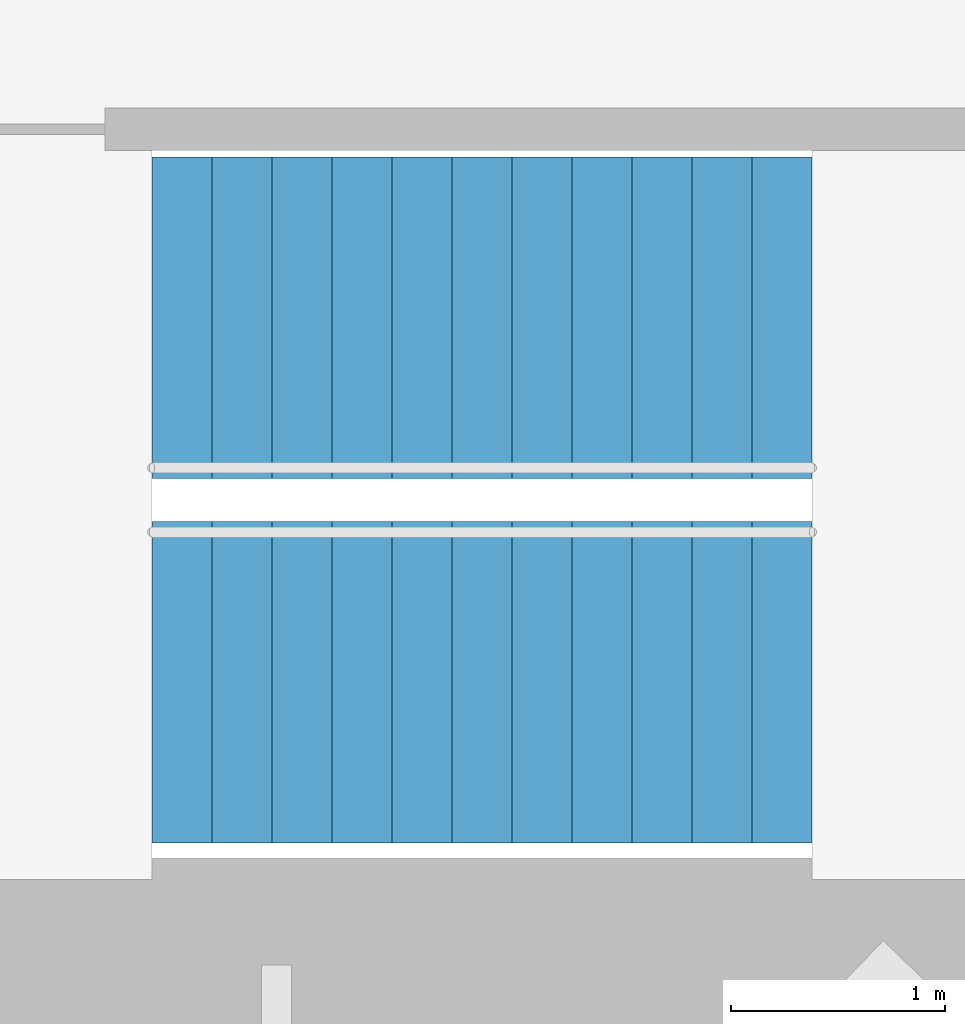
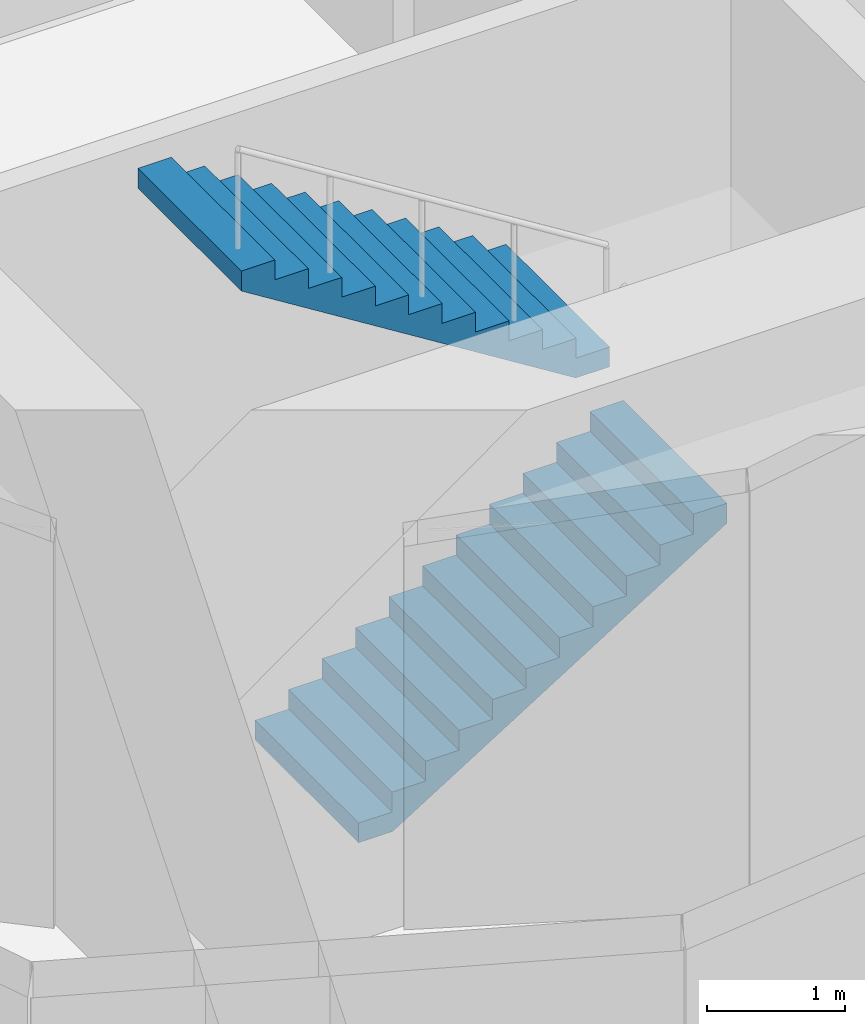
# One storey, part 15 of 17: 2 stair flights, 1 element without a shape of its own.
"""IFC4 building model written with IfcOpenShell, lengths in metres."""

from ifc_helpers import new_model, si_unit, direction, frame, origin, place, context, subcontext, project, spatial, triangles, material, type_object, element, aggregate, save


model = new_model("IFC4")

# Units and contexts
model_context = context("Model", 3, precision=1e-05, world=origin(), true_north=direction((0.0, 1.0)))
body_context = subcontext(model_context, "Body", "Model", "MODEL_VIEW")
ifc_project = project(units=[si_unit("LENGTHUNIT", "METRE"), si_unit("AREAUNIT", "SQUARE_METRE"), si_unit("VOLUMEUNIT", "CUBIC_METRE"), si_unit("PLANEANGLEUNIT", "RADIAN"), si_unit("MASSUNIT", "GRAM", prefix="KILO")], contexts=[model_context])

# Site, building, storey
site_placement = place(None, origin())
site = spatial("IfcSite", under=ifc_project, at=site_placement, CompositionType="ELEMENT")
building_placement = place(site_placement, origin())
building = spatial("IfcBuilding", under=site, at=building_placement, Name="Lantaw Convention Tower", CompositionType="ELEMENT")
storey_placement = place(building_placement, frame((0.0, 0.0, 224.199951171875)))
storey = spatial("IfcBuildingStorey", under=building, at=storey_placement, Name="L52", CompositionType="ELEMENT", Elevation=224.199951171875)

# Stair, stair flights
ifc_material = material(Name="Concrete C35/45", Category="concrete")
stair_type = type_object("IfcStairType", Name="Exit stair 1500 riser 175 in 2 flights", PredefinedType="HALF_TURN_STAIR", material=ifc_material)
stair_placement = place(storey_placement, origin())
stair = element("IfcStair", 1, at=stair_placement, inside=storey, type_object=stair_type, Name="Exit stair S1 L52", PredefinedType="HALF_TURN_STAIR")
stair_flight_type = type_object("IfcStairFlightType", Name="Stair flight 1500 riser 175", PredefinedType="STRAIGHT", material=ifc_material)
stair_flight_1_placement = place(storey_placement, frame((-10.580078125, -5.97998046875, 0.0), z_axis=(0.0, 0.0, 1.0), x_axis=(1.0, 0.0, 0.0)))
stair_flight_1 = element("IfcStairFlight", 2, at=stair_flight_1_placement, type_object=stair_flight_type, Name="S1 flight 1", NumberOfRisers=12, NumberOfTreads=11, PredefinedType="STRAIGHT", RiserHeight=0.175, TreadLength=0.28, context=body_context, shape_type="Tessellation", body=[
    triangles([(0.0, 0.75, 0.0), (0.0, 0.75, 0.175), (0.28, 0.75, 0.0), (0.28, 0.75, 0.175), (0.28, 0.75, 0.35), (0.28283517651771284, 0.75, 0.0), (0.28283517651771284, 0.75, 0.35), (0.56, 0.75, 0.17322801467642948), (0.56, 0.75, 0.35), (0.56, 0.75, 0.5249999999999999), (0.8400000000000001, 0.75, 0.34822801467642944), (0.8400000000000001, 0.75, 0.5249999999999999), (0.8400000000000001, 0.75, 0.7), (1.12, 0.75, 0.5232280146764294), (1.12, 0.75, 0.7), (1.12, 0.75, 0.875), (1.4000000000000001, 0.75, 0.6982280146764295), (1.4000000000000001, 0.75, 0.875), (1.4000000000000001, 0.75, 1.0499999999999998), (1.6800000000000002, 0.75, 0.8732280146764294), (1.6800000000000002, 0.75, 1.0499999999999998), (1.6800000000000002, 0.75, 1.2249999999999999), (1.9600000000000002, 0.75, 1.0482280146764293), (1.9600000000000002, 0.75, 1.2249999999999999), (1.9600000000000002, 0.75, 1.4), (2.24, 0.75, 1.2232280146764294), (2.24, 0.75, 1.4), (2.24, 0.75, 1.575), (2.5200000000000005, 0.75, 1.3982280146764294), (2.5200000000000005, 0.75, 1.575), (2.5200000000000005, 0.75, 1.75), (2.8000000000000003, 0.75, 1.5732280146764293), (2.8000000000000003, 0.75, 1.75), (2.8000000000000003, 0.75, 1.9249999999999998), (3.08, 0.75, 1.7482280146764293), (3.08, 0.75, 1.9249999999999998), (0.0, -0.75, 0.0), (0.0, -0.75, 0.175), (0.28, -0.75, 0.0), (0.28, -0.75, 0.175), (0.28, -0.75, 0.35), (0.28283517651771284, -0.75, 0.0), (0.28283517651771284, -0.75, 0.35), (0.56, -0.75, 0.17322801467642948), (0.56, -0.75, 0.35), (0.56, -0.75, 0.5249999999999999), (0.8400000000000001, -0.75, 0.34822801467642944), (0.8400000000000001, -0.75, 0.5249999999999999), (0.8400000000000001, -0.75, 0.7), (1.12, -0.75, 0.5232280146764294), (1.12, -0.75, 0.7), (1.12, -0.75, 0.875), (1.4000000000000001, -0.75, 0.6982280146764295), (1.4000000000000001, -0.75, 0.875), (1.4000000000000001, -0.75, 1.0499999999999998), (1.6800000000000002, -0.75, 0.8732280146764294), (1.6800000000000002, -0.75, 1.0499999999999998), (1.6800000000000002, -0.75, 1.2249999999999999), (1.9600000000000002, -0.75, 1.0482280146764293), (1.9600000000000002, -0.75, 1.2249999999999999), (1.9600000000000002, -0.75, 1.4), (2.24, -0.75, 1.2232280146764294), (2.24, -0.75, 1.4), (2.24, -0.75, 1.575), (2.5200000000000005, -0.75, 1.3982280146764294), (2.5200000000000005, -0.75, 1.575), (2.5200000000000005, -0.75, 1.75), (2.8000000000000003, -0.75, 1.5732280146764293), (2.8000000000000003, -0.75, 1.75), (2.8000000000000003, -0.75, 1.9249999999999998), (3.08, -0.75, 1.7482280146764293), (3.08, -0.75, 1.9249999999999998), (0.0, 0.15000000000000002, 0.175), (0.0, 0.15000000000000002, 0.0), (0.0, 0.0, 0.175), (0.0, 0.0, 0.0), (0.0, -0.15000000000000002, 0.175), (0.0, -0.15000000000000002, 0.0), (0.28, 0.15000000000000002, 0.35), (0.28, 0.15000000000000002, 0.175), (0.28, 0.0, 0.35), (0.28, 0.0, 0.175), (0.28, -0.15000000000000002, 0.35), (0.28, -0.15000000000000002, 0.175), (0.56, 0.15000000000000002, 0.5249999999999999), (0.56, 0.15000000000000002, 0.35), (0.56, 0.0, 0.5249999999999999), (0.56, 0.0, 0.35), (0.56, -0.15000000000000002, 0.5249999999999999), (0.56, -0.15000000000000002, 0.35), (0.8400000000000001, 0.15000000000000002, 0.7), (0.8400000000000001, 0.15000000000000002, 0.5249999999999999), (0.8400000000000001, 0.0, 0.7), (0.8400000000000001, 0.0, 0.5249999999999999), (0.8400000000000001, -0.15000000000000002, 0.7), (0.8400000000000001, -0.15000000000000002, 0.5249999999999999), (1.12, 0.15000000000000002, 0.875), (1.12, 0.15000000000000002, 0.7), (1.12, 0.0, 0.875), (1.12, 0.0, 0.7), (1.12, -0.15000000000000002, 0.875), (1.12, -0.15000000000000002, 0.7), (1.4000000000000001, 0.15000000000000002, 1.0499999999999998), (1.4000000000000001, 0.15000000000000002, 0.875), (1.4000000000000001, 0.0, 1.0499999999999998), (1.4000000000000001, 0.0, 0.875), (1.4000000000000001, -0.15000000000000002, 1.0499999999999998), (1.4000000000000001, -0.15000000000000002, 0.875), (1.6800000000000002, 0.15000000000000002, 1.2249999999999999), (1.6800000000000002, 0.15000000000000002, 1.0499999999999998), (1.6800000000000002, 0.0, 1.2249999999999999), (1.6800000000000002, 0.0, 1.0499999999999998), (1.6800000000000002, -0.15000000000000002, 1.2249999999999999), (1.6800000000000002, -0.15000000000000002, 1.0499999999999998), (1.9600000000000002, 0.15000000000000002, 1.4), (1.9600000000000002, 0.15000000000000002, 1.2249999999999999), (1.9600000000000002, 0.0, 1.4), (1.9600000000000002, 0.0, 1.2249999999999999), (1.9600000000000002, -0.15000000000000002, 1.4), (1.9600000000000002, -0.15000000000000002, 1.2249999999999999), (2.24, 0.15000000000000002, 1.575), (2.24, 0.15000000000000002, 1.4), (2.24, 0.0, 1.575), (2.24, 0.0, 1.4), (2.24, -0.15000000000000002, 1.575), (2.24, -0.15000000000000002, 1.4), (2.5200000000000005, 0.15000000000000002, 1.75), (2.5200000000000005, 0.15000000000000002, 1.575), (2.5200000000000005, 0.0, 1.75), (2.5200000000000005, 0.0, 1.575), (2.5200000000000005, -0.15000000000000002, 1.75), (2.5200000000000005, -0.15000000000000002, 1.575), (2.8000000000000003, 0.15000000000000002, 1.9249999999999998), (2.8000000000000003, 0.15000000000000002, 1.75), (2.8000000000000003, 0.0, 1.9249999999999998), (2.8000000000000003, 0.0, 1.75), (2.8000000000000003, -0.15000000000000002, 1.9249999999999998), (2.8000000000000003, -0.15000000000000002, 1.75), (0.28283517651771284, 0.15000000000000002, 0.35), (0.28283517651771284, 0.0, 0.35), (0.28283517651771284, -0.15000000000000002, 0.35), (3.08, 0.15000000000000002, 1.9249999999999998), (3.08, 0.0, 1.9249999999999998), (3.08, -0.15000000000000002, 1.9249999999999998), (3.08, 0.15000000000000002, 1.7482280146764293), (3.08, 0.0, 1.7482280146764293), (3.08, -0.15000000000000002, 1.7482280146764293), (2.8000000000000003, 0.15000000000000002, 1.5732280146764293), (2.8000000000000003, 0.0, 1.5732280146764293), (2.8000000000000003, -0.15000000000000002, 1.5732280146764293), (2.5200000000000005, 0.15000000000000002, 1.3982280146764294), (2.5200000000000005, 0.0, 1.3982280146764294), (2.5200000000000005, -0.15000000000000002, 1.3982280146764294), (2.24, 0.15000000000000002, 1.2232280146764294), (2.24, 0.0, 1.2232280146764294), (2.24, -0.15000000000000002, 1.2232280146764294), (1.9600000000000002, 0.15000000000000002, 1.0482280146764293), (1.9600000000000002, 0.0, 1.0482280146764293), (1.9600000000000002, -0.15000000000000002, 1.0482280146764293), (1.6800000000000002, 0.15000000000000002, 0.8732280146764294), (1.6800000000000002, 0.0, 0.8732280146764294), (1.6800000000000002, -0.15000000000000002, 0.8732280146764294), (1.4000000000000001, 0.15000000000000002, 0.6982280146764295), (1.4000000000000001, 0.0, 0.6982280146764295), (1.4000000000000001, -0.15000000000000002, 0.6982280146764295), (1.12, 0.15000000000000002, 0.5232280146764294), (1.12, 0.0, 0.5232280146764294), (1.12, -0.15000000000000002, 0.5232280146764294), (0.8400000000000001, 0.15000000000000002, 0.34822801467642944), (0.8400000000000001, 0.0, 0.34822801467642944), (0.8400000000000001, -0.15000000000000002, 0.34822801467642944), (0.56, 0.15000000000000002, 0.17322801467642948), (0.56, 0.0, 0.17322801467642948), (0.56, -0.15000000000000002, 0.17322801467642948), (0.28283517651771284, 0.15000000000000002, 0.0), (0.28283517651771284, 0.0, 0.0), (0.28283517651771284, -0.15000000000000002, 0.0), (0.28, 0.15000000000000002, 0.0), (0.28, 0.0, 0.0), (0.28, -0.15000000000000002, 0.0)], [[1, 4, 3], [1, 2, 4], [3, 4, 6], [4, 7, 6], [4, 5, 7], [6, 9, 8], [6, 7, 9], [8, 9, 11], [9, 12, 11], [9, 10, 12], [11, 12, 14], [12, 15, 14], [12, 13, 15], [14, 15, 17], [15, 18, 17], [15, 16, 18], [17, 18, 20], [18, 21, 20], [18, 19, 21], [20, 21, 23], [21, 24, 23], [21, 22, 24], [23, 24, 26], [24, 27, 26], [24, 25, 27], [26, 27, 29], [27, 30, 29], [27, 28, 30], [29, 30, 32], [30, 33, 32], [30, 31, 33], [32, 33, 35], [33, 36, 35], [33, 34, 36], [37, 39, 40], [37, 40, 38], [39, 42, 40], [40, 42, 43], [40, 43, 41], [42, 44, 45], [42, 45, 43], [44, 47, 45], [45, 47, 48], [45, 48, 46], [47, 50, 48], [48, 50, 51], [48, 51, 49], [50, 53, 51], [51, 53, 54], [51, 54, 52], [53, 56, 54], [54, 56, 57], [54, 57, 55], [56, 59, 57], [57, 59, 60], [57, 60, 58], [59, 62, 60], [60, 62, 63], [60, 63, 61], [62, 65, 63], [63, 65, 66], [63, 66, 64], [65, 68, 66], [66, 68, 69], [66, 69, 67], [68, 71, 69], [69, 71, 72], [69, 72, 70], [1, 73, 2], [1, 74, 73], [74, 75, 73], [74, 76, 75], [76, 77, 75], [76, 78, 77], [78, 38, 77], [78, 37, 38], [4, 79, 5], [4, 80, 79], [80, 81, 79], [80, 82, 81], [82, 83, 81], [82, 84, 83], [84, 41, 83], [84, 40, 41], [9, 85, 10], [9, 86, 85], [86, 87, 85], [86, 88, 87], [88, 89, 87], [88, 90, 89], [90, 46, 89], [90, 45, 46], [12, 91, 13], [12, 92, 91], [92, 93, 91], [92, 94, 93], [94, 95, 93], [94, 96, 95], [96, 49, 95], [96, 48, 49], [15, 97, 16], [15, 98, 97], [98, 99, 97], [98, 100, 99], [100, 101, 99], [100, 102, 101], [102, 52, 101], [102, 51, 52], [18, 103, 19], [18, 104, 103], [104, 105, 103], [104, 106, 105], [106, 107, 105], [106, 108, 107], [108, 55, 107], [108, 54, 55], [21, 109, 22], [21, 110, 109], [110, 111, 109], [110, 112, 111], [112, 113, 111], [112, 114, 113], [114, 58, 113], [114, 57, 58], [24, 115, 25], [24, 116, 115], [116, 117, 115], [116, 118, 117], [118, 119, 117], [118, 120, 119], [120, 61, 119], [120, 60, 61], [27, 121, 28], [27, 122, 121], [122, 123, 121], [122, 124, 123], [124, 125, 123], [124, 126, 125], [126, 64, 125], [126, 63, 64], [30, 127, 31], [30, 128, 127], [128, 129, 127], [128, 130, 129], [130, 131, 129], [130, 132, 131], [132, 67, 131], [132, 66, 67], [33, 133, 34], [33, 134, 133], [134, 135, 133], [134, 136, 135], [136, 137, 135], [136, 138, 137], [138, 70, 137], [138, 69, 70], [2, 80, 4], [2, 73, 80], [73, 82, 80], [73, 75, 82], [75, 84, 82], [75, 77, 84], [77, 40, 84], [77, 38, 40], [5, 139, 7], [5, 79, 139], [79, 140, 139], [79, 81, 140], [81, 141, 140], [81, 83, 141], [83, 43, 141], [83, 41, 43], [7, 86, 9], [7, 139, 86], [139, 88, 86], [139, 140, 88], [140, 90, 88], [140, 141, 90], [141, 45, 90], [141, 43, 45], [10, 92, 12], [10, 85, 92], [85, 94, 92], [85, 87, 94], [87, 96, 94], [87, 89, 96], [89, 48, 96], [89, 46, 48], [13, 98, 15], [13, 91, 98], [91, 100, 98], [91, 93, 100], [93, 102, 100], [93, 95, 102], [95, 51, 102], [95, 49, 51], [16, 104, 18], [16, 97, 104], [97, 106, 104], [97, 99, 106], [99, 108, 106], [99, 101, 108], [101, 54, 108], [101, 52, 54], [19, 110, 21], [19, 103, 110], [103, 112, 110], [103, 105, 112], [105, 114, 112], [105, 107, 114], [107, 57, 114], [107, 55, 57], [22, 116, 24], [22, 109, 116], [109, 118, 116], [109, 111, 118], [111, 120, 118], [111, 113, 120], [113, 60, 120], [113, 58, 60], [25, 122, 27], [25, 115, 122], [115, 124, 122], [115, 117, 124], [117, 126, 124], [117, 119, 126], [119, 63, 126], [119, 61, 63], [28, 128, 30], [28, 121, 128], [121, 130, 128], [121, 123, 130], [123, 132, 130], [123, 125, 132], [125, 66, 132], [125, 64, 66], [31, 134, 33], [31, 127, 134], [127, 136, 134], [127, 129, 136], [129, 138, 136], [129, 131, 138], [131, 69, 138], [131, 67, 69], [34, 142, 36], [34, 133, 142], [133, 143, 142], [133, 135, 143], [135, 144, 143], [135, 137, 144], [137, 72, 144], [137, 70, 72], [36, 145, 35], [36, 142, 145], [142, 146, 145], [142, 143, 146], [143, 147, 146], [143, 144, 147], [144, 71, 147], [144, 72, 71], [35, 148, 32], [35, 145, 148], [145, 149, 148], [145, 146, 149], [146, 150, 149], [146, 147, 150], [147, 68, 150], [147, 71, 68], [32, 151, 29], [32, 148, 151], [148, 152, 151], [148, 149, 152], [149, 153, 152], [149, 150, 153], [150, 65, 153], [150, 68, 65], [29, 154, 26], [29, 151, 154], [151, 155, 154], [151, 152, 155], [152, 156, 155], [152, 153, 156], [153, 62, 156], [153, 65, 62], [26, 157, 23], [26, 154, 157], [154, 158, 157], [154, 155, 158], [155, 159, 158], [155, 156, 159], [156, 59, 159], [156, 62, 59], [23, 160, 20], [23, 157, 160], [157, 161, 160], [157, 158, 161], [158, 162, 161], [158, 159, 162], [159, 56, 162], [159, 59, 56], [20, 163, 17], [20, 160, 163], [160, 164, 163], [160, 161, 164], [161, 165, 164], [161, 162, 165], [162, 53, 165], [162, 56, 53], [17, 166, 14], [17, 163, 166], [163, 167, 166], [163, 164, 167], [164, 168, 167], [164, 165, 168], [165, 50, 168], [165, 53, 50], [14, 169, 11], [14, 166, 169], [166, 170, 169], [166, 167, 170], [167, 171, 170], [167, 168, 171], [168, 47, 171], [168, 50, 47], [11, 172, 8], [11, 169, 172], [169, 173, 172], [169, 170, 173], [170, 174, 173], [170, 171, 174], [171, 44, 174], [171, 47, 44], [8, 175, 6], [8, 172, 175], [172, 176, 175], [172, 173, 176], [173, 177, 176], [173, 174, 177], [174, 42, 177], [174, 44, 42], [6, 178, 3], [6, 175, 178], [175, 179, 178], [175, 176, 179], [176, 180, 179], [176, 177, 180], [177, 39, 180], [177, 42, 39], [3, 74, 1], [3, 178, 74], [178, 76, 74], [178, 179, 76], [179, 78, 76], [179, 180, 78], [180, 37, 78], [180, 39, 37]], closed=True),
])
stair_flight_2_placement = place(storey_placement, frame((-7.5, -4.280029296875, 2.10009765625), z_axis=(0.0, 0.0, 1.0), x_axis=(-1.0, 0.0, 0.0)))
stair_flight_2 = element("IfcStairFlight", 3, at=stair_flight_2_placement, type_object=stair_flight_type, Name="S1 flight 2", NumberOfRisers=12, NumberOfTreads=11, PredefinedType="STRAIGHT", RiserHeight=0.175, TreadLength=0.28, context=body_context, shape_type="Tessellation", body=[
    triangles([(0.0, 0.75, 0.0), (0.0, 0.75, 0.175), (0.28, 0.75, 0.0), (0.28, 0.75, 0.175), (0.28, 0.75, 0.35), (0.28283517651771284, 0.75, 0.0), (0.28283517651771284, 0.75, 0.35), (0.56, 0.75, 0.17322801467642948), (0.56, 0.75, 0.35), (0.56, 0.75, 0.5249999999999999), (0.8400000000000001, 0.75, 0.34822801467642944), (0.8400000000000001, 0.75, 0.5249999999999999), (0.8400000000000001, 0.75, 0.7), (1.12, 0.75, 0.5232280146764294), (1.12, 0.75, 0.7), (1.12, 0.75, 0.875), (1.4000000000000001, 0.75, 0.6982280146764295), (1.4000000000000001, 0.75, 0.875), (1.4000000000000001, 0.75, 1.0499999999999998), (1.6800000000000002, 0.75, 0.8732280146764294), (1.6800000000000002, 0.75, 1.0499999999999998), (1.6800000000000002, 0.75, 1.2249999999999999), (1.9600000000000002, 0.75, 1.0482280146764293), (1.9600000000000002, 0.75, 1.2249999999999999), (1.9600000000000002, 0.75, 1.4), (2.24, 0.75, 1.2232280146764294), (2.24, 0.75, 1.4), (2.24, 0.75, 1.575), (2.5200000000000005, 0.75, 1.3982280146764294), (2.5200000000000005, 0.75, 1.575), (2.5200000000000005, 0.75, 1.75), (2.8000000000000003, 0.75, 1.5732280146764293), (2.8000000000000003, 0.75, 1.75), (2.8000000000000003, 0.75, 1.9249999999999998), (3.08, 0.75, 1.7482280146764293), (3.08, 0.75, 1.9249999999999998), (0.0, -0.75, 0.0), (0.0, -0.75, 0.175), (0.28, -0.75, 0.0), (0.28, -0.75, 0.175), (0.28, -0.75, 0.35), (0.28283517651771284, -0.75, 0.0), (0.28283517651771284, -0.75, 0.35), (0.56, -0.75, 0.17322801467642948), (0.56, -0.75, 0.35), (0.56, -0.75, 0.5249999999999999), (0.8400000000000001, -0.75, 0.34822801467642944), (0.8400000000000001, -0.75, 0.5249999999999999), (0.8400000000000001, -0.75, 0.7), (1.12, -0.75, 0.5232280146764294), (1.12, -0.75, 0.7), (1.12, -0.75, 0.875), (1.4000000000000001, -0.75, 0.6982280146764295), (1.4000000000000001, -0.75, 0.875), (1.4000000000000001, -0.75, 1.0499999999999998), (1.6800000000000002, -0.75, 0.8732280146764294), (1.6800000000000002, -0.75, 1.0499999999999998), (1.6800000000000002, -0.75, 1.2249999999999999), (1.9600000000000002, -0.75, 1.0482280146764293), (1.9600000000000002, -0.75, 1.2249999999999999), (1.9600000000000002, -0.75, 1.4), (2.24, -0.75, 1.2232280146764294), (2.24, -0.75, 1.4), (2.24, -0.75, 1.575), (2.5200000000000005, -0.75, 1.3982280146764294), (2.5200000000000005, -0.75, 1.575), (2.5200000000000005, -0.75, 1.75), (2.8000000000000003, -0.75, 1.5732280146764293), (2.8000000000000003, -0.75, 1.75), (2.8000000000000003, -0.75, 1.9249999999999998), (3.08, -0.75, 1.7482280146764293), (3.08, -0.75, 1.9249999999999998), (0.0, 0.15000000000000002, 0.175), (0.0, 0.15000000000000002, 0.0), (0.0, 0.0, 0.175), (0.0, 0.0, 0.0), (0.0, -0.15000000000000002, 0.175), (0.0, -0.15000000000000002, 0.0), (0.28, 0.15000000000000002, 0.35), (0.28, 0.15000000000000002, 0.175), (0.28, 0.0, 0.35), (0.28, 0.0, 0.175), (0.28, -0.15000000000000002, 0.35), (0.28, -0.15000000000000002, 0.175), (0.56, 0.15000000000000002, 0.5249999999999999), (0.56, 0.15000000000000002, 0.35), (0.56, 0.0, 0.5249999999999999), (0.56, 0.0, 0.35), (0.56, -0.15000000000000002, 0.5249999999999999), (0.56, -0.15000000000000002, 0.35), (0.8400000000000001, 0.15000000000000002, 0.7), (0.8400000000000001, 0.15000000000000002, 0.5249999999999999), (0.8400000000000001, 0.0, 0.7), (0.8400000000000001, 0.0, 0.5249999999999999), (0.8400000000000001, -0.15000000000000002, 0.7), (0.8400000000000001, -0.15000000000000002, 0.5249999999999999), (1.12, 0.15000000000000002, 0.875), (1.12, 0.15000000000000002, 0.7), (1.12, 0.0, 0.875), (1.12, 0.0, 0.7), (1.12, -0.15000000000000002, 0.875), (1.12, -0.15000000000000002, 0.7), (1.4000000000000001, 0.15000000000000002, 1.0499999999999998), (1.4000000000000001, 0.15000000000000002, 0.875), (1.4000000000000001, 0.0, 1.0499999999999998), (1.4000000000000001, 0.0, 0.875), (1.4000000000000001, -0.15000000000000002, 1.0499999999999998), (1.4000000000000001, -0.15000000000000002, 0.875), (1.6800000000000002, 0.15000000000000002, 1.2249999999999999), (1.6800000000000002, 0.15000000000000002, 1.0499999999999998), (1.6800000000000002, 0.0, 1.2249999999999999), (1.6800000000000002, 0.0, 1.0499999999999998), (1.6800000000000002, -0.15000000000000002, 1.2249999999999999), (1.6800000000000002, -0.15000000000000002, 1.0499999999999998), (1.9600000000000002, 0.15000000000000002, 1.4), (1.9600000000000002, 0.15000000000000002, 1.2249999999999999), (1.9600000000000002, 0.0, 1.4), (1.9600000000000002, 0.0, 1.2249999999999999), (1.9600000000000002, -0.15000000000000002, 1.4), (1.9600000000000002, -0.15000000000000002, 1.2249999999999999), (2.24, 0.15000000000000002, 1.575), (2.24, 0.15000000000000002, 1.4), (2.24, 0.0, 1.575), (2.24, 0.0, 1.4), (2.24, -0.15000000000000002, 1.575), (2.24, -0.15000000000000002, 1.4), (2.5200000000000005, 0.15000000000000002, 1.75), (2.5200000000000005, 0.15000000000000002, 1.575), (2.5200000000000005, 0.0, 1.75), (2.5200000000000005, 0.0, 1.575), (2.5200000000000005, -0.15000000000000002, 1.75), (2.5200000000000005, -0.15000000000000002, 1.575), (2.8000000000000003, 0.15000000000000002, 1.9249999999999998), (2.8000000000000003, 0.15000000000000002, 1.75), (2.8000000000000003, 0.0, 1.9249999999999998), (2.8000000000000003, 0.0, 1.75), (2.8000000000000003, -0.15000000000000002, 1.9249999999999998), (2.8000000000000003, -0.15000000000000002, 1.75), (0.28283517651771284, 0.15000000000000002, 0.35), (0.28283517651771284, 0.0, 0.35), (0.28283517651771284, -0.15000000000000002, 0.35), (3.08, 0.15000000000000002, 1.9249999999999998), (3.08, 0.0, 1.9249999999999998), (3.08, -0.15000000000000002, 1.9249999999999998), (3.08, 0.15000000000000002, 1.7482280146764293), (3.08, 0.0, 1.7482280146764293), (3.08, -0.15000000000000002, 1.7482280146764293), (2.8000000000000003, 0.15000000000000002, 1.5732280146764293), (2.8000000000000003, 0.0, 1.5732280146764293), (2.8000000000000003, -0.15000000000000002, 1.5732280146764293), (2.5200000000000005, 0.15000000000000002, 1.3982280146764294), (2.5200000000000005, 0.0, 1.3982280146764294), (2.5200000000000005, -0.15000000000000002, 1.3982280146764294), (2.24, 0.15000000000000002, 1.2232280146764294), (2.24, 0.0, 1.2232280146764294), (2.24, -0.15000000000000002, 1.2232280146764294), (1.9600000000000002, 0.15000000000000002, 1.0482280146764293), (1.9600000000000002, 0.0, 1.0482280146764293), (1.9600000000000002, -0.15000000000000002, 1.0482280146764293), (1.6800000000000002, 0.15000000000000002, 0.8732280146764294), (1.6800000000000002, 0.0, 0.8732280146764294), (1.6800000000000002, -0.15000000000000002, 0.8732280146764294), (1.4000000000000001, 0.15000000000000002, 0.6982280146764295), (1.4000000000000001, 0.0, 0.6982280146764295), (1.4000000000000001, -0.15000000000000002, 0.6982280146764295), (1.12, 0.15000000000000002, 0.5232280146764294), (1.12, 0.0, 0.5232280146764294), (1.12, -0.15000000000000002, 0.5232280146764294), (0.8400000000000001, 0.15000000000000002, 0.34822801467642944), (0.8400000000000001, 0.0, 0.34822801467642944), (0.8400000000000001, -0.15000000000000002, 0.34822801467642944), (0.56, 0.15000000000000002, 0.17322801467642948), (0.56, 0.0, 0.17322801467642948), (0.56, -0.15000000000000002, 0.17322801467642948), (0.28283517651771284, 0.15000000000000002, 0.0), (0.28283517651771284, 0.0, 0.0), (0.28283517651771284, -0.15000000000000002, 0.0), (0.28, 0.15000000000000002, 0.0), (0.28, 0.0, 0.0), (0.28, -0.15000000000000002, 0.0)], [[1, 4, 3], [1, 2, 4], [3, 4, 6], [4, 7, 6], [4, 5, 7], [6, 9, 8], [6, 7, 9], [8, 9, 11], [9, 12, 11], [9, 10, 12], [11, 12, 14], [12, 15, 14], [12, 13, 15], [14, 15, 17], [15, 18, 17], [15, 16, 18], [17, 18, 20], [18, 21, 20], [18, 19, 21], [20, 21, 23], [21, 24, 23], [21, 22, 24], [23, 24, 26], [24, 27, 26], [24, 25, 27], [26, 27, 29], [27, 30, 29], [27, 28, 30], [29, 30, 32], [30, 33, 32], [30, 31, 33], [32, 33, 35], [33, 36, 35], [33, 34, 36], [37, 39, 40], [37, 40, 38], [39, 42, 40], [40, 42, 43], [40, 43, 41], [42, 44, 45], [42, 45, 43], [44, 47, 45], [45, 47, 48], [45, 48, 46], [47, 50, 48], [48, 50, 51], [48, 51, 49], [50, 53, 51], [51, 53, 54], [51, 54, 52], [53, 56, 54], [54, 56, 57], [54, 57, 55], [56, 59, 57], [57, 59, 60], [57, 60, 58], [59, 62, 60], [60, 62, 63], [60, 63, 61], [62, 65, 63], [63, 65, 66], [63, 66, 64], [65, 68, 66], [66, 68, 69], [66, 69, 67], [68, 71, 69], [69, 71, 72], [69, 72, 70], [1, 73, 2], [1, 74, 73], [74, 75, 73], [74, 76, 75], [76, 77, 75], [76, 78, 77], [78, 38, 77], [78, 37, 38], [4, 79, 5], [4, 80, 79], [80, 81, 79], [80, 82, 81], [82, 83, 81], [82, 84, 83], [84, 41, 83], [84, 40, 41], [9, 85, 10], [9, 86, 85], [86, 87, 85], [86, 88, 87], [88, 89, 87], [88, 90, 89], [90, 46, 89], [90, 45, 46], [12, 91, 13], [12, 92, 91], [92, 93, 91], [92, 94, 93], [94, 95, 93], [94, 96, 95], [96, 49, 95], [96, 48, 49], [15, 97, 16], [15, 98, 97], [98, 99, 97], [98, 100, 99], [100, 101, 99], [100, 102, 101], [102, 52, 101], [102, 51, 52], [18, 103, 19], [18, 104, 103], [104, 105, 103], [104, 106, 105], [106, 107, 105], [106, 108, 107], [108, 55, 107], [108, 54, 55], [21, 109, 22], [21, 110, 109], [110, 111, 109], [110, 112, 111], [112, 113, 111], [112, 114, 113], [114, 58, 113], [114, 57, 58], [24, 115, 25], [24, 116, 115], [116, 117, 115], [116, 118, 117], [118, 119, 117], [118, 120, 119], [120, 61, 119], [120, 60, 61], [27, 121, 28], [27, 122, 121], [122, 123, 121], [122, 124, 123], [124, 125, 123], [124, 126, 125], [126, 64, 125], [126, 63, 64], [30, 127, 31], [30, 128, 127], [128, 129, 127], [128, 130, 129], [130, 131, 129], [130, 132, 131], [132, 67, 131], [132, 66, 67], [33, 133, 34], [33, 134, 133], [134, 135, 133], [134, 136, 135], [136, 137, 135], [136, 138, 137], [138, 70, 137], [138, 69, 70], [2, 80, 4], [2, 73, 80], [73, 82, 80], [73, 75, 82], [75, 84, 82], [75, 77, 84], [77, 40, 84], [77, 38, 40], [5, 139, 7], [5, 79, 139], [79, 140, 139], [79, 81, 140], [81, 141, 140], [81, 83, 141], [83, 43, 141], [83, 41, 43], [7, 86, 9], [7, 139, 86], [139, 88, 86], [139, 140, 88], [140, 90, 88], [140, 141, 90], [141, 45, 90], [141, 43, 45], [10, 92, 12], [10, 85, 92], [85, 94, 92], [85, 87, 94], [87, 96, 94], [87, 89, 96], [89, 48, 96], [89, 46, 48], [13, 98, 15], [13, 91, 98], [91, 100, 98], [91, 93, 100], [93, 102, 100], [93, 95, 102], [95, 51, 102], [95, 49, 51], [16, 104, 18], [16, 97, 104], [97, 106, 104], [97, 99, 106], [99, 108, 106], [99, 101, 108], [101, 54, 108], [101, 52, 54], [19, 110, 21], [19, 103, 110], [103, 112, 110], [103, 105, 112], [105, 114, 112], [105, 107, 114], [107, 57, 114], [107, 55, 57], [22, 116, 24], [22, 109, 116], [109, 118, 116], [109, 111, 118], [111, 120, 118], [111, 113, 120], [113, 60, 120], [113, 58, 60], [25, 122, 27], [25, 115, 122], [115, 124, 122], [115, 117, 124], [117, 126, 124], [117, 119, 126], [119, 63, 126], [119, 61, 63], [28, 128, 30], [28, 121, 128], [121, 130, 128], [121, 123, 130], [123, 132, 130], [123, 125, 132], [125, 66, 132], [125, 64, 66], [31, 134, 33], [31, 127, 134], [127, 136, 134], [127, 129, 136], [129, 138, 136], [129, 131, 138], [131, 69, 138], [131, 67, 69], [34, 142, 36], [34, 133, 142], [133, 143, 142], [133, 135, 143], [135, 144, 143], [135, 137, 144], [137, 72, 144], [137, 70, 72], [36, 145, 35], [36, 142, 145], [142, 146, 145], [142, 143, 146], [143, 147, 146], [143, 144, 147], [144, 71, 147], [144, 72, 71], [35, 148, 32], [35, 145, 148], [145, 149, 148], [145, 146, 149], [146, 150, 149], [146, 147, 150], [147, 68, 150], [147, 71, 68], [32, 151, 29], [32, 148, 151], [148, 152, 151], [148, 149, 152], [149, 153, 152], [149, 150, 153], [150, 65, 153], [150, 68, 65], [29, 154, 26], [29, 151, 154], [151, 155, 154], [151, 152, 155], [152, 156, 155], [152, 153, 156], [153, 62, 156], [153, 65, 62], [26, 157, 23], [26, 154, 157], [154, 158, 157], [154, 155, 158], [155, 159, 158], [155, 156, 159], [156, 59, 159], [156, 62, 59], [23, 160, 20], [23, 157, 160], [157, 161, 160], [157, 158, 161], [158, 162, 161], [158, 159, 162], [159, 56, 162], [159, 59, 56], [20, 163, 17], [20, 160, 163], [160, 164, 163], [160, 161, 164], [161, 165, 164], [161, 162, 165], [162, 53, 165], [162, 56, 53], [17, 166, 14], [17, 163, 166], [163, 167, 166], [163, 164, 167], [164, 168, 167], [164, 165, 168], [165, 50, 168], [165, 53, 50], [14, 169, 11], [14, 166, 169], [166, 170, 169], [166, 167, 170], [167, 171, 170], [167, 168, 171], [168, 47, 171], [168, 50, 47], [11, 172, 8], [11, 169, 172], [169, 173, 172], [169, 170, 173], [170, 174, 173], [170, 171, 174], [171, 44, 174], [171, 47, 44], [8, 175, 6], [8, 172, 175], [172, 176, 175], [172, 173, 176], [173, 177, 176], [173, 174, 177], [174, 42, 177], [174, 44, 42], [6, 178, 3], [6, 175, 178], [175, 179, 178], [175, 176, 179], [176, 180, 179], [176, 177, 180], [177, 39, 180], [177, 42, 39], [3, 74, 1], [3, 178, 74], [178, 76, 74], [178, 179, 76], [179, 78, 76], [179, 180, 78], [180, 37, 78], [180, 39, 37]], closed=True),
])
aggregate(stair, [stair_flight_1, stair_flight_2])

save(model, "model.ifc")
